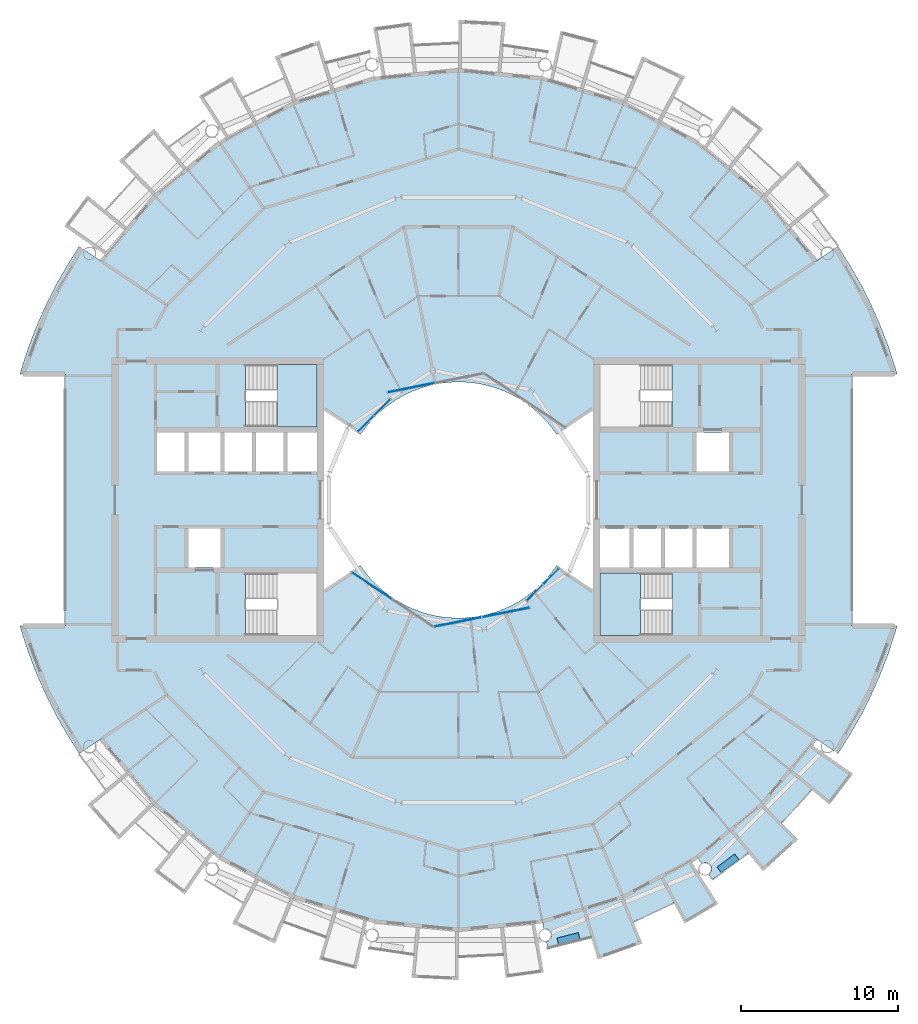
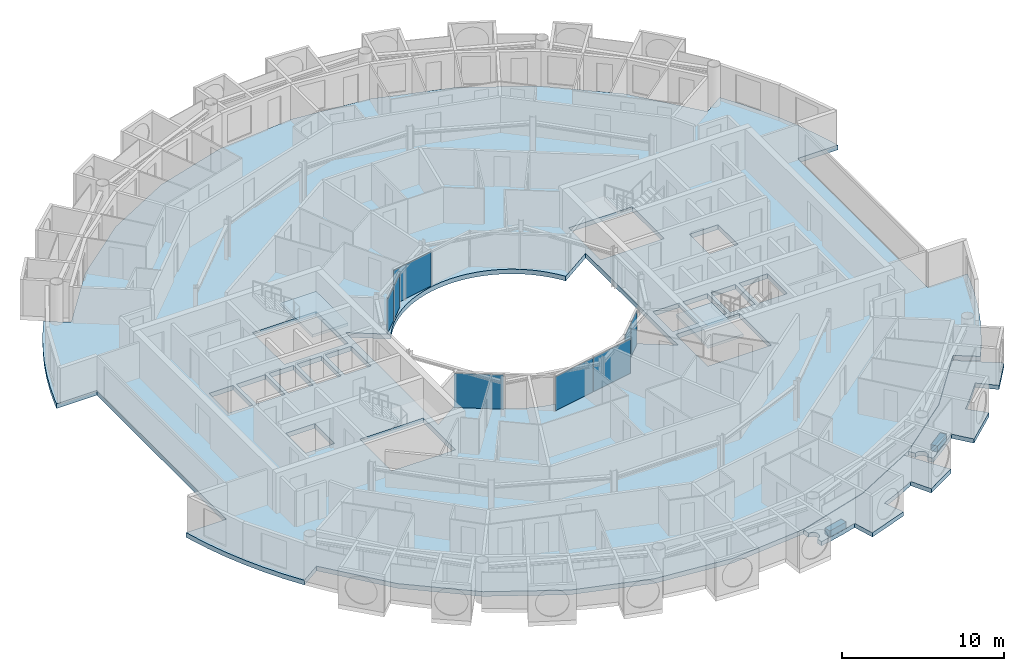
# One storey, part 12 of 28: 8 plates, 7 slabs, 7 elements without a shape of their own.
"""IFC4 building model written with IfcOpenShell, lengths in metres."""

import ifcopenshell
import ifcopenshell.guid

model = None  # the IFC model being written
_history = None  # IfcOwnerHistory: only IFC2X3 demands one
_inside = {}  # id of a spatial element -> (the spatial element, [elements in it])
_under = {}  # id of a project, library or spatial element -> (it, [spatial elements below it])
_declared = {}  # id of a project -> (the project, [libraries it declares])
_typed = {}  # id of a type object -> (the type object, [elements of that type])
_made_of = {}  # id of a material, layer set ... -> (it, [elements and type objects made of it])


def new_model(schema):
    """Start an empty IFC model of exactly this schema.

    Asked for "IFC4X3", IfcOpenShell would pick the latest addendum, in which some entities
    have other attributes; the version numbers below select the first issue.
    IFC2X3 requires an IfcOwnerHistory on every rooted entity: one is made here for all.
    """
    global model, _history
    if schema == "IFC4X3":
        model = ifcopenshell.file(schema_version=(4, 3, 0, 0))
    else:
        model = ifcopenshell.file(schema=schema)
    _inside.clear()
    _under.clear()
    _declared.clear()
    _typed.clear()
    _made_of.clear()
    _history = None
    if model.schema == "IFC2X3":
        org = make("IfcOrganization", Name="unknown")
        user = make(
            "IfcPersonAndOrganization",
            ThePerson=make("IfcPerson", FamilyName="unknown"),
            TheOrganization=org,
        )
        app = make(
            "IfcApplication",
            ApplicationDeveloper=org,
            Version="unknown",
            ApplicationFullName="unknown",
            ApplicationIdentifier="unknown",
        )
        _history = make(
            "IfcOwnerHistory",
            OwningUser=user,
            OwningApplication=app,
            ChangeAction="ADDED",
            CreationDate=0,
        )
    return model


def make(cls, **values):
    """One entity of the class cls with the attributes given. An attribute that is None is left unset."""
    return model.create_entity(
        cls, **{name: value for name, value in values.items() if value is not None}
    )


def rooted(cls, **values):
    """An entity with a GlobalId (a new one), such as an element, a storey or a relation."""
    return make(cls, GlobalId=ifcopenshell.guid.new(), OwnerHistory=_history, **values)


def si_unit(unit_type, name, prefix=None):
    """IfcSIUnit, for example si_unit("LENGTHUNIT", "METRE", prefix="MILLI")."""
    return make("IfcSIUnit", UnitType=unit_type, Prefix=prefix, Name=name)


def assignment(units):
    """IfcUnitAssignment: the units of a project."""
    return None if units is None else make("IfcUnitAssignment", Units=units)


def point(xyz):
    """IfcCartesianPoint."""
    return None if xyz is None else make("IfcCartesianPoint", Coordinates=xyz)


def direction(xyz):
    """IfcDirection."""
    return None if xyz is None else make("IfcDirection", DirectionRatios=xyz)


def frame(location, z_axis=None, x_axis=None):
    """IfcAxis2Placement3D, a coordinate frame: its origin and axes. An axis left out is left unset."""
    return make(
        "IfcAxis2Placement3D",
        Location=point(location),
        Axis=direction(z_axis),
        RefDirection=direction(x_axis),
    )


def frame_2d(location, x_axis=None):
    """IfcAxis2Placement2D, a coordinate frame in the plane: its origin and x axis."""
    return make(
        "IfcAxis2Placement2D", Location=point(location), RefDirection=direction(x_axis)
    )


def origin():
    """The frame at (0, 0, 0) with its axes left unset."""
    return frame((0.0, 0.0, 0.0))


def origin_2d():
    """The frame at (0, 0) in the plane with its x axis left unset."""
    return frame_2d((0.0, 0.0))


def place(relative_to, where):
    """IfcLocalPlacement: puts the frame where relative to a parent placement (None: the world)."""
    return make(
        "IfcLocalPlacement", PlacementRelTo=relative_to, RelativePlacement=where
    )


def context(
    kind, dimensions, precision=None, world=None, true_north=None, identifier=None
):
    """IfcGeometricRepresentationContext, for example the 3D "Model" context."""
    return make(
        "IfcGeometricRepresentationContext",
        ContextIdentifier=identifier,
        ContextType=kind,
        CoordinateSpaceDimension=dimensions,
        Precision=precision,
        WorldCoordinateSystem=world,
        TrueNorth=true_north,
    )


def subcontext(parent, identifier, kind, view, scale=None):
    """IfcGeometricRepresentationSubContext, for example "Body" below "Model"."""
    return make(
        "IfcGeometricRepresentationSubContext",
        ContextIdentifier=identifier,
        ContextType=kind,
        ParentContext=parent,
        TargetScale=scale,
        TargetView=view,
    )


def project(units=None, contexts=None):
    """IfcProject with its units and contexts."""
    return rooted(
        "IfcProject",
        Name="project",
        RepresentationContexts=contexts,
        UnitsInContext=assignment(units),
    )


def spatial(cls, under=None, at=None, **own):
    """A site, building, storey or space (cls), placed at a placement, below another one or the project."""
    s = rooted(cls, ObjectPlacement=at, **own)
    if under is not None:
        _under.setdefault(under.id(), (under, []))[1].append(s)
    return s


def polyline(points):
    """IfcPolyline through the points."""
    return make("IfcPolyline", Points=[point(p) for p in points])


def profile(cls, at=None, kind="AREA", **sizes):
    """A parametric profile (cls). Its sizes go by their IFC names, for example OverallWidth=200.0."""
    return make(cls, ProfileType=kind, Position=at, **sizes)


def rectangle(**sizes):
    """IfcRectangleProfileDef."""
    return profile("IfcRectangleProfileDef", **sizes)


def outline(outer, holes=None, kind="AREA"):
    """IfcArbitraryClosedProfileDef: a profile drawn as a closed curve; with holes, ...WithVoids."""
    if holes is None:
        return make("IfcArbitraryClosedProfileDef", ProfileType=kind, OuterCurve=outer)
    return make(
        "IfcArbitraryProfileDefWithVoids",
        ProfileType=kind,
        OuterCurve=outer,
        InnerCurves=holes,
    )


def extrude(swept, where, along, depth):
    """IfcExtrudedAreaSolid: the profile swept, set in the frame where, extruded along a direction by depth."""
    return make(
        "IfcExtrudedAreaSolid",
        SweptArea=swept,
        Position=where,
        ExtrudedDirection=direction(along),
        Depth=depth,
    )


def shape(context_of_items, identifier, shape_type, items):
    """IfcShapeRepresentation: the items that make up one representation, for example the "Body"."""
    return make(
        "IfcShapeRepresentation",
        ContextOfItems=context_of_items,
        RepresentationIdentifier=identifier,
        RepresentationType=shape_type,
        Items=items,
    )


def material(Name=None, Category=None):
    """IfcMaterial."""
    return make("IfcMaterial", Name=Name, Category=Category)


def layer(
    of_material, thickness, ventilated=None, Name=None, Category=None, Priority=None
):
    """IfcMaterialLayer: one layer of a wall or slab, of a material (None: an air gap)."""
    return make(
        "IfcMaterialLayer",
        Material=of_material,
        LayerThickness=thickness,
        IsVentilated=ventilated,
        Name=Name,
        Category=Category,
        Priority=Priority,
    )


def layer_set(layers, Name=None):
    """IfcMaterialLayerSet."""
    return make("IfcMaterialLayerSet", MaterialLayers=layers, LayerSetName=Name)


def made_of(thing, what):
    """Note that an element or type object is made of a material, layer set ...; save() writes the relation."""
    if what is not None:
        _made_of.setdefault(what.id(), (what, []))[1].append(thing)
    return thing


def type_object(cls, material=None, **own):
    """A type object (cls), such as IfcWallType, which elements share."""
    return made_of(rooted(cls, **own), material)


def element(
    cls,
    number,
    at=None,
    inside=None,
    cuts=None,
    type_object=None,
    material=None,
    context=None,
    identifier="Body",
    shape_type=None,
    held_by="IfcProductDefinitionShape",
    body=None,
    shapes=None,
    **own,
):
    """One element of the class cls, such as IfcWall. Its Tag is "e" and its number.

    at: its placement. inside: the storey or other place that contains it. cuts: it is an
    opening in that element (IfcRelVoidsElement). A single representation is given by context,
    identifier, shape_type and body (its items); several are given by shapes. held_by: the class
    of the entity that holds the representations. save() writes the other relations.
    """
    e = rooted(cls, Tag="e%d" % number, ObjectPlacement=at, **own)
    if body is not None:
        shapes = [shape(context, identifier, shape_type, body)]
    if shapes is not None:
        e.Representation = make(held_by, Representations=shapes)
    if inside is not None:
        _inside.setdefault(inside.id(), (inside, []))[1].append(e)
    if cuts is not None:
        rooted(
            "IfcRelVoidsElement", RelatingBuildingElement=cuts, RelatedOpeningElement=e
        )
    if type_object is not None:
        _typed.setdefault(type_object.id(), (type_object, []))[1].append(e)
    return made_of(e, material)


def aggregate(whole, parts):
    """IfcRelAggregates: a whole, such as a stair, and the parts it consists of."""
    return rooted("IfcRelAggregates", RelatingObject=whole, RelatedObjects=parts)


def save(model, path):
    """Write the relations noted so far, then the file.

    IfcRelAggregates (storeys below a building ...), IfcRelContainedInSpatialStructure (elements
    in a storey), IfcRelDefinesByType, IfcRelAssociatesMaterial and IfcRelDeclares: one each for
    every whole, place, type object, material and project.
    """
    for whole, parts in _under.values():
        aggregate(whole, parts)
    for where, things in _inside.values():
        rooted(
            "IfcRelContainedInSpatialStructure",
            RelatedElements=things,
            RelatingStructure=where,
        )
    for kind, things in _typed.values():
        rooted("IfcRelDefinesByType", RelatedObjects=things, RelatingType=kind)
    for what, things in _made_of.values():
        rooted("IfcRelAssociatesMaterial", RelatedObjects=things, RelatingMaterial=what)
    for by, libraries in _declared.values():
        rooted("IfcRelDeclares", RelatingContext=by, RelatedDefinitions=libraries)
    model.write(path)


model = new_model("IFC4")

# Units and contexts
model_context = context("Model", 3, precision=1e-05, world=origin(), true_north=direction((0.0, 1.0)))
body_context = subcontext(model_context, "Body", "Model", "MODEL_VIEW")
ifc_project = project(units=[si_unit("LENGTHUNIT", "METRE"), si_unit("AREAUNIT", "SQUARE_METRE"), si_unit("VOLUMEUNIT", "CUBIC_METRE"), si_unit("PLANEANGLEUNIT", "RADIAN"), si_unit("MASSUNIT", "GRAM", prefix="KILO")], contexts=[model_context])

# Site, building, storey
site_placement = place(None, origin())
site = spatial("IfcSite", under=ifc_project, at=site_placement, CompositionType="ELEMENT")
building_placement = place(site_placement, origin())
building = spatial("IfcBuilding", under=site, at=building_placement, Name="Maasbend Ring Residences", CompositionType="ELEMENT")
storey_placement = place(building_placement, frame((0.0, 0.0, 196.300048828125)))
storey = spatial("IfcBuildingStorey", under=building, at=storey_placement, Name="L56", CompositionType="ELEMENT", Elevation=196.300048828125)

# Stair, slab
ifc_material_1 = material(Name="Concrete C40/50", Category="concrete")
stair_type = type_object("IfcStairType", Name="CORE STAIR 18 RISERS", PredefinedType="HALF_TURN_STAIR", material=ifc_material_1)
stair_1_placement = place(storey_placement, origin())
stair_1 = element("IfcStair", 1, at=stair_1_placement, inside=storey, type_object=stair_type, Name="L56 Exit stair ST-E2", PredefinedType="HALF_TURN_STAIR")
ifc_material_2 = material(Name="Concrete C40/50", Category="concrete")
ifc_layer_1 = layer(ifc_material_2, 0.199951171875)
ifc_layer_set_1 = layer_set([ifc_layer_1], Name="Concrete C40/50")
slab_type_1 = type_object("IfcSlabType", Name="CORE STAIR LANDING 200", PredefinedType="LANDING", material=ifc_layer_set_1)
slab_1_placement = place(storey_placement, frame((0.0, 0.0, 1.324951171875)))
slab_1 = element("IfcSlab", 2, at=slab_1_placement, type_object=slab_type_1, Name="ST-E2 landing 1", PredefinedType="LANDING", context=body_context, shape_type="SweptSolid", body=[
    extrude(outline(polyline([(11.550048828125, -4.64990234375), (9.0, -4.64990234375), (9.0, -8.60009765625), (11.550048828125, -8.60009765625), (11.550048828125, -4.64990234375)])), origin(), (0.0, 0.0, 1.0), 0.199951171875),
])
aggregate(stair_1, [slab_1])

stair_2_placement = place(storey_placement, origin())
stair_2 = element("IfcStair", 3, at=stair_2_placement, inside=storey, type_object=stair_type, Name="L56 Exit stair ST-W2", PredefinedType="HALF_TURN_STAIR")
slab_2_placement = place(storey_placement, frame((0.0, 0.0, 1.324951171875)))
slab_2 = element("IfcSlab", 4, at=slab_2_placement, type_object=slab_type_1, Name="ST-W2 landing 1", PredefinedType="LANDING", context=body_context, shape_type="SweptSolid", body=[
    extrude(outline(polyline([(-11.550048828125, 4.64990234375), (-9.0, 4.64990234375), (-9.0, 8.60009765625), (-11.550048828125, 8.60009765625), (-11.550048828125, 4.64990234375)])), origin(), (0.0, 0.0, 1.0), 0.199951171875),
])
aggregate(stair_2, [slab_2])

# Curtain wall, plate
ifc_material_3 = material(Name="Aluminium and clear glass", Category="aluminium")
ifc_layer_2 = layer(ifc_material_3, 0.179931640625)
ifc_layer_set_2 = layer_set([ifc_layer_2], Name="CW-W")
curtain_wall_type = type_object("IfcCurtainWallType", Name="CW-W", PredefinedType="NOTDEFINED", material=ifc_layer_set_2)
curtain_wall_1_placement = place(storey_placement, origin())
curtain_wall_1 = element("IfcCurtainWall", 5, at=curtain_wall_1_placement, inside=storey, type_object=curtain_wall_type, Name="Well curtain wall N2", PredefinedType="NOTDEFINED")
ifc_material_4 = material(Name="Glass clear laminated", Category="glass")
ifc_layer_3 = layer(ifc_material_4, 0.031982421875)
ifc_layer_set_3 = layer_set([ifc_layer_3], Name="CWP-W")
plate_type = type_object("IfcPlateType", Name="CWP-W", PredefinedType="CURTAIN_PANEL", material=ifc_layer_set_3)
plate_1_placement = place(storey_placement, frame((-3.0078125, 7.140380859375, 0.0), z_axis=(0.0, 0.0, 1.0), x_axis=(-0.980785280403, -0.195090322016, 0.0)))
plate_1 = element("IfcPlate", 6, at=plate_1_placement, type_object=plate_type, Name="Glass panel well face", PredefinedType="CURTAIN_PANEL", context=body_context, shape_type="SweptSolid", body=[
    extrude(rectangle(XDim=3.053955078125, YDim=0.031982421875, at=origin_2d()), origin(), (0.0, 0.0, 1.0), 2.580078125),
])
aggregate(curtain_wall_1, [plate_1])

# Curtain wall, plates
curtain_wall_2_placement = place(storey_placement, origin())
curtain_wall_2 = element("IfcCurtainWall", 7, at=curtain_wall_2_placement, inside=storey, type_object=curtain_wall_type, Name="Well curtain wall N3", PredefinedType="NOTDEFINED")
plate_2_placement = place(storey_placement, frame((-4.84375, 5.89013671875, 0.0), z_axis=(0.0, 0.0, 1.0), x_axis=(-0.707106781187, -0.707106781187, 0.0)))
plate_2 = element("IfcPlate", 8, at=plate_2_placement, type_object=plate_type, Name="Glass panel well face", PredefinedType="CURTAIN_PANEL", context=body_context, shape_type="SweptSolid", body=[
    extrude(rectangle(XDim=1.419677734375, YDim=0.031982421875, at=origin_2d()), origin(), (0.0, 0.0, 1.0), 2.580078125),
])
plate_3_placement = place(storey_placement, frame((-5.89013671875, 4.84375, 0.0), z_axis=(0.0, 0.0, 1.0), x_axis=(-0.707106781187, -0.707106781187, 0.0)))
plate_3 = element("IfcPlate", 9, at=plate_3_placement, type_object=plate_type, Name="Glass panel well face", PredefinedType="CURTAIN_PANEL", context=body_context, shape_type="SweptSolid", body=[
    extrude(rectangle(XDim=1.419677734375, YDim=0.031982421875, at=origin_2d()), origin(), (0.0, 0.0, 1.0), 2.580078125),
])
aggregate(curtain_wall_2, [plate_2, plate_3])

# Curtain wall, plate
curtain_wall_3_placement = place(storey_placement, origin())
curtain_wall_3 = element("IfcCurtainWall", 10, at=curtain_wall_3_placement, inside=storey, type_object=curtain_wall_type, Name="Well curtain wall S1", PredefinedType="NOTDEFINED")
plate_4_placement = place(storey_placement, frame((-5.51123046875, -5.44580078125, 0.0), z_axis=(0.0, 0.0, 1.0), x_axis=(0.831469612303, -0.55557023302, 0.0)))
plate_4 = element("IfcPlate", 11, at=plate_4_placement, type_object=plate_type, Name="Glass panel well face", PredefinedType="CURTAIN_PANEL", context=body_context, shape_type="SweptSolid", body=[
    extrude(rectangle(XDim=3.053955078125, YDim=0.031982421875, at=origin_2d()), origin(), (0.0, 0.0, 1.0), 2.580078125),
])
aggregate(curtain_wall_3, [plate_4])

# Curtain wall, plates
curtain_wall_4_placement = place(storey_placement, origin())
curtain_wall_4 = element("IfcCurtainWall", 12, at=curtain_wall_4_placement, inside=storey, type_object=curtain_wall_type, Name="Well curtain wall S2", PredefinedType="NOTDEFINED")
plate_5_placement = place(storey_placement, frame((-0.04638671875, -7.747802734375, 0.0), z_axis=(0.0, 0.0, 1.0), x_axis=(0.980785280403, 0.195090322016, 0.0)))
plate_5 = element("IfcPlate", 13, at=plate_5_placement, type_object=plate_type, Name="Glass panel well face", PredefinedType="CURTAIN_PANEL", context=body_context, shape_type="SweptSolid", body=[
    extrude(rectangle(XDim=3.053955078125, YDim=0.031982421875, at=origin_2d()), origin(), (0.0, 0.0, 1.0), 2.580078125),
])
plate_6_placement = place(storey_placement, frame((3.0078125, -7.140380859375, 0.0), z_axis=(0.0, 0.0, 1.0), x_axis=(0.980785280403, 0.195090322016, 0.0)))
plate_6 = element("IfcPlate", 14, at=plate_6_placement, type_object=plate_type, Name="Glass panel well face", PredefinedType="CURTAIN_PANEL", context=body_context, shape_type="SweptSolid", body=[
    extrude(rectangle(XDim=3.053955078125, YDim=0.031982421875, at=origin_2d()), origin(), (0.0, 0.0, 1.0), 2.580078125),
])
aggregate(curtain_wall_4, [plate_5, plate_6])

curtain_wall_5_placement = place(storey_placement, origin())
curtain_wall_5 = element("IfcCurtainWall", 15, at=curtain_wall_5_placement, inside=storey, type_object=curtain_wall_type, Name="Well curtain wall S3", PredefinedType="NOTDEFINED")
plate_7_placement = place(storey_placement, frame((4.84375, -5.89013671875, 0.0), z_axis=(0.0, 0.0, 1.0), x_axis=(0.707106781187, 0.707106781187, 0.0)))
plate_7 = element("IfcPlate", 16, at=plate_7_placement, type_object=plate_type, Name="Glass panel well face", PredefinedType="CURTAIN_PANEL", context=body_context, shape_type="SweptSolid", body=[
    extrude(rectangle(XDim=1.419677734375, YDim=0.031982421875, at=origin_2d()), origin(), (0.0, 0.0, 1.0), 2.580078125),
])
plate_8_placement = place(storey_placement, frame((5.89013671875, -4.84375, 0.0), z_axis=(0.0, 0.0, 1.0), x_axis=(0.707106781187, 0.707106781187, 0.0)))
plate_8 = element("IfcPlate", 17, at=plate_8_placement, type_object=plate_type, Name="Glass panel well face", PredefinedType="CURTAIN_PANEL", context=body_context, shape_type="SweptSolid", body=[
    extrude(rectangle(XDim=1.419677734375, YDim=0.031982421875, at=origin_2d()), origin(), (0.0, 0.0, 1.0), 2.580078125),
])
aggregate(curtain_wall_5, [plate_7, plate_8])

# Slabs
ifc_material_5 = material(Name="Planting with climbing greenery")
ifc_layer_4 = layer(ifc_material_5, 0.449951171875)
ifc_layer_set_4 = layer_set([ifc_layer_4], Name="PLANTER-LG")
slab_type_2 = type_object("IfcSlabType", Name="PLANTER-LG", PredefinedType="USERDEFINED", material=ifc_layer_set_4)
slab_3_placement = place(storey_placement, frame((0.0, 0.0, -0.030029296875)))
element("IfcSlab", 18, at=slab_3_placement, inside=storey, type_object=slab_type_2, Name="Planter with climbing greenery 4", ObjectType="PLANTER", PredefinedType="USERDEFINED", context=body_context, shape_type="SweptSolid", body=[
    extrude(outline(polyline([(6.35888671875, -28.26708984375), (7.717041015625, -27.927001953125), (7.60791015625, -27.489990234375), (6.25, -27.8310546875), (6.35888671875, -28.26708984375)])), origin(), (0.0, 0.0, 1.0), 0.449951171875),
])
slab_4_placement = place(storey_placement, frame((0.0, 0.0, -0.030029296875)))
element("IfcSlab", 19, at=slab_4_placement, inside=storey, type_object=slab_type_2, Name="Planter with climbing greenery 5", ObjectType="PLANTER", PredefinedType="USERDEFINED", context=body_context, shape_type="SweptSolid", body=[
    extrude(outline(polyline([(16.69189453125, -23.681884765625), (17.81689453125, -22.847900390625), (17.549072265625, -22.487060546875), (16.424072265625, -23.321044921875), (16.69189453125, -23.681884765625)])), origin(), (0.0, 0.0, 1.0), 0.449951171875),
])
ifc_material_6 = material(Name="Concrete C40/50", Category="concrete")
ifc_layer_5 = layer(ifc_material_6, 0.35009765625)
ifc_layer_set_5 = layer_set([ifc_layer_5], Name="Concrete C40/50")
slab_type_3 = type_object("IfcSlabType", Name="Post-tensioned flat plate 350", PredefinedType="FLOOR", material=ifc_layer_set_5)
slab_5_placement = place(storey_placement, frame((0.0, 0.0, -0.35009765625)))
element("IfcSlab", 20, at=slab_5_placement, inside=storey, type_object=slab_type_3, Name="Floor slab L56", PredefinedType="FLOOR", context=body_context, shape_type="SweptSolid", body=[
    extrude(outline(polyline([(24.8740234375, -14.908935546875), (25.57568359375, -13.67041015625), (26.2158203125, -12.399169921875), (26.79248046875, -11.097900390625), (27.3046875, -9.769775390625), (27.751220703125, -8.418212890625), (27.866943359375, -8.0), (25.0, -8.0), (25.0, 8.0), (27.866943359375, 8.0), (27.751220703125, 8.418212890625), (27.3046875, 9.769775390625), (26.79248046875, 11.097900390625), (26.2158203125, 12.399169921875), (25.57568359375, 13.67041015625), (24.8740234375, 14.908935546875), (24.112548828125, 16.111572265625), (22.69921875, 15.1669921875), (19.303955078125, 19.303955078125), (15.1669921875, 22.69921875), (10.447265625, 25.221923828125), (5.325927734375, 26.775390625), (0.0, 27.300048828125), (-5.325927734375, 26.775390625), (-10.447265625, 25.221923828125), (-15.1669921875, 22.69921875), (-19.303955078125, 19.303955078125), (-22.69921875, 15.1669921875), (-24.112548828125, 16.111572265625), (-24.8740234375, 14.908935546875), (-25.57568359375, 13.67041015625), (-26.2158203125, 12.399169921875), (-26.79248046875, 11.097900390625), (-27.3046875, 9.769775390625), (-27.751220703125, 8.418212890625), (-27.866943359375, 8.0), (-25.0, 8.0), (-25.0, -8.0), (-27.866943359375, -8.0), (-27.751220703125, -8.418212890625), (-27.3046875, -9.769775390625), (-26.79248046875, -11.097900390625), (-26.2158203125, -12.399169921875), (-25.57568359375, -13.67041015625), (-24.8740234375, -14.908935546875), (-24.112548828125, -16.111572265625), (-22.69921875, -15.1669921875), (-19.303955078125, -19.303955078125), (-15.1669921875, -22.69921875), (-10.447265625, -25.221923828125), (-5.325927734375, -26.775390625), (0.0, -27.300048828125), (5.325927734375, -26.775390625), (10.447265625, -25.221923828125), (15.1669921875, -22.69921875), (19.303955078125, -19.303955078125), (22.69921875, -15.1669921875), (24.112548828125, -16.111572265625), (24.8740234375, -14.908935546875)]), holes=[polyline([(15.125, 1.824951171875), (15.125, 4.27490234375), (17.175048828125, 4.27490234375), (17.175048828125, 1.824951171875), (15.125, 1.824951171875)]), polyline([(15.125, -4.27490234375), (15.125, -1.824951171875), (17.175048828125, -1.824951171875), (17.175048828125, -4.27490234375), (15.125, -4.27490234375)]), polyline([(13.125, -4.27490234375), (13.125, -1.824951171875), (14.875, -1.824951171875), (14.875, -4.27490234375), (13.125, -4.27490234375)]), polyline([(13.550048828125, 8.60009765625), (13.550048828125, 4.64990234375), (9.0, 4.64990234375), (9.0, 8.60009765625), (13.550048828125, 8.60009765625)]), polyline([(13.550048828125, -4.64990234375), (13.550048828125, -8.60009765625), (9.0, -8.60009765625), (9.0, -4.64990234375), (13.550048828125, -4.64990234375)]), polyline([(11.125, -4.27490234375), (11.125, -1.824951171875), (12.875, -1.824951171875), (12.875, -4.27490234375), (11.125, -4.27490234375)]), polyline([(9.0, -4.27490234375), (9.0, -1.824951171875), (10.875, -1.824951171875), (10.875, -4.27490234375), (9.0, -4.27490234375)]), polyline([(6.024169921875, 4.4677734375), (6.236083984375, 4.166748046875), (8.550048828125, 5.712890625), (8.550048828125, -5.712890625), (6.236083984375, -4.166748046875), (6.024169921875, -4.4677734375), (5.797607421875, -4.7578125), (5.55712890625, -5.03662109375), (5.30322265625, -5.30322265625), (5.03662109375, -5.55712890625), (4.7578125, -5.797607421875), (4.4677734375, -6.024169921875), (4.166748046875, -6.236083984375), (3.855712890625, -6.43310546875), (3.535400390625, -6.614501953125), (3.206787109375, -6.77978515625), (2.8701171875, -6.92919921875), (2.526611328125, -7.0615234375), (2.177001953125, -7.177001953125), (1.822509765625, -7.275146484375), (1.463134765625, -7.35595703125), (1.1005859375, -7.418701171875), (0.735107421875, -7.4638671875), (0.367919921875, -7.490966796875), (0.0, -7.5), (-0.367919921875, -7.490966796875), (-0.735107421875, -7.4638671875), (-1.1005859375, -7.418701171875), (-1.463134765625, -7.35595703125), (-1.822509765625, -7.275146484375), (-2.177001953125, -7.177001953125), (-2.526611328125, -7.0615234375), (-2.8701171875, -6.92919921875), (-3.206787109375, -6.77978515625), (-3.535400390625, -6.614501953125), (-3.855712890625, -6.43310546875), (-4.166748046875, -6.236083984375), (-4.4677734375, -6.024169921875), (-4.7578125, -5.797607421875), (-5.03662109375, -5.55712890625), (-5.30322265625, -5.30322265625), (-5.55712890625, -5.03662109375), (-5.797607421875, -4.7578125), (-6.024169921875, -4.4677734375), (-6.236083984375, -4.166748046875), (-8.550048828125, -5.712890625), (-8.550048828125, 5.712890625), (-6.236083984375, 4.166748046875), (-6.024169921875, 4.4677734375), (-5.797607421875, 4.7578125), (-5.55712890625, 5.03662109375), (-5.30322265625, 5.30322265625), (-5.03662109375, 5.55712890625), (-4.7578125, 5.797607421875), (-4.4677734375, 6.024169921875), (-4.166748046875, 6.236083984375), (-3.855712890625, 6.43310546875), (-3.535400390625, 6.614501953125), (-3.206787109375, 6.77978515625), (-2.8701171875, 6.92919921875), (-2.526611328125, 7.0615234375), (-2.177001953125, 7.177001953125), (-1.822509765625, 7.275146484375), (-1.463134765625, 7.35595703125), (-1.1005859375, 7.418701171875), (-0.735107421875, 7.4638671875), (-0.367919921875, 7.490966796875), (0.0, 7.5), (0.367919921875, 7.490966796875), (0.735107421875, 7.4638671875), (1.1005859375, 7.418701171875), (1.463134765625, 7.35595703125), (1.822509765625, 7.275146484375), (2.177001953125, 7.177001953125), (2.526611328125, 7.0615234375), (2.8701171875, 6.92919921875), (3.206787109375, 6.77978515625), (3.535400390625, 6.614501953125), (3.855712890625, 6.43310546875), (4.166748046875, 6.236083984375), (4.4677734375, 6.024169921875), (4.7578125, 5.797607421875), (5.03662109375, 5.55712890625), (5.30322265625, 5.30322265625), (5.55712890625, 5.03662109375), (5.797607421875, 4.7578125), (6.024169921875, 4.4677734375)]), polyline([(-13.550048828125, 4.64990234375), (-13.550048828125, 8.60009765625), (-9.0, 8.60009765625), (-9.0, 4.64990234375), (-13.550048828125, 4.64990234375)]), polyline([(-9.0, -8.60009765625), (-13.550048828125, -8.60009765625), (-13.550048828125, -4.64990234375), (-9.0, -4.64990234375), (-9.0, -8.60009765625)]), polyline([(-9.0, 4.27490234375), (-9.0, 1.824951171875), (-10.875, 1.824951171875), (-10.875, 4.27490234375), (-9.0, 4.27490234375)]), polyline([(-11.125, 4.27490234375), (-11.125, 1.824951171875), (-12.875, 1.824951171875), (-12.875, 4.27490234375), (-11.125, 4.27490234375)]), polyline([(-13.125, 4.27490234375), (-13.125, 1.824951171875), (-14.875, 1.824951171875), (-14.875, 4.27490234375), (-13.125, 4.27490234375)]), polyline([(-15.125, 4.27490234375), (-15.125, 1.824951171875), (-17.175048828125, 1.824951171875), (-17.175048828125, 4.27490234375), (-15.125, 4.27490234375)]), polyline([(-15.125, -1.824951171875), (-15.125, -4.27490234375), (-17.175048828125, -4.27490234375), (-17.175048828125, -1.824951171875), (-15.125, -1.824951171875)]), polyline([(-17.425048828125, 4.27490234375), (-17.425048828125, 1.824951171875), (-19.14990234375, 1.824951171875), (-19.14990234375, 4.27490234375), (-17.425048828125, 4.27490234375)])]), origin(), (0.0, 0.0, 1.0), 0.35009765625),
])
ifc_material_7 = material(Name="Concrete C40/50", Category="concrete")
ifc_layer_6 = layer(ifc_material_7, 0.199951171875)
ifc_layer_set_6 = layer_set([ifc_layer_6], Name="Concrete C40/50")
slab_type_4 = type_object("IfcSlabType", Name="SL-LOGGIA", PredefinedType="FLOOR", material=ifc_layer_set_6)
slab_6_placement = place(storey_placement, frame((0.0, 0.0, -0.35009765625)))
element("IfcSlab", 21, at=slab_6_placement, inside=storey, type_object=slab_type_4, Name="Loggia floor 2", PredefinedType="FLOOR", context=body_context, shape_type="SweptSolid", body=[
    extrude(outline(polyline([(10.447021484375, -25.221923828125), (12.806884765625, -23.9609375), (14.73291015625, -22.930908203125), (14.73291015625, -22.930908203125), (14.73291015625, -22.930908203125), (16.487060546875, -25.659912109375), (16.487060546875, -25.659912109375), (16.487060546875, -25.659912109375), (14.3779296875, -26.89892578125), (14.3779296875, -26.89892578125), (14.3779296875, -26.89892578125), (13.6708984375, -25.575927734375), (13.6708984375, -25.575927734375), (13.6708984375, -25.575927734375), (13.6708984375, -25.575927734375), (13.6708984375, -25.575927734375), (13.6708984375, -25.575927734375), (13.6708984375, -25.575927734375), (13.669921875, -25.575927734375), (13.669921875, -25.575927734375), (13.669921875, -25.575927734375), (13.669921875, -25.575927734375), (13.669921875, -25.575927734375), (13.669921875, -25.575927734375), (13.669921875, -25.575927734375), (13.669921875, -25.575927734375), (13.669921875, -25.575927734375), (13.669921875, -25.575927734375), (12.825927734375, -26.009033203125), (12.825927734375, -26.009033203125), (11.968994140625, -26.4150390625), (11.968994140625, -26.4150390625), (11.097900390625, -26.7919921875), (11.097900390625, -26.7919921875), (11.097900390625, -26.7919921875), (11.097900390625, -26.7919921875), (11.097900390625, -26.7919921875), (11.097900390625, -26.7919921875), (11.097900390625, -26.7919921875), (11.097900390625, -26.79296875), (11.097900390625, -26.79296875), (11.097900390625, -26.79296875), (11.097900390625, -26.79296875), (11.097900390625, -26.79296875), (11.097900390625, -26.79296875), (11.097900390625, -26.79296875), (11.097900390625, -26.79296875), (11.097900390625, -26.79296875), (11.097900390625, -26.79296875), (11.672119140625, -28.177978515625), (11.672119140625, -28.177978515625), (11.672119140625, -28.177978515625), (8.85400390625, -29.18701171875), (8.85400390625, -29.18701171875), (8.85400390625, -29.18701171875), (8.41796875, -27.751953125), (8.41796875, -27.751953125), (8.41796875, -27.751953125), (8.41796875, -27.751953125), (8.41796875, -27.751953125), (8.41796875, -27.751953125), (8.41796875, -27.751953125), (8.41796875, -27.7509765625), (8.41796875, -27.7509765625), (8.41796875, -27.7509765625), (8.41796875, -27.7509765625), (8.41796875, -27.7509765625), (8.41796875, -27.7509765625), (8.41796875, -27.7509765625), (8.41796875, -27.7509765625), (8.41796875, -27.7509765625), (8.41796875, -27.7509765625), (7.506103515625, -28.011962890625), (7.506103515625, -28.011962890625), (6.5849609375, -28.241943359375), (6.5849609375, -28.241943359375), (5.657958984375, -28.443115234375), (5.657958984375, -28.443115234375), (5.657958984375, -28.443115234375), (5.5810546875, -28.056884765625), (5.591064453125, -28.054931640625), (5.60009765625, -28.052001953125), (5.610107421875, -28.050048828125), (5.6201171875, -28.047119140625), (5.62890625, -28.0439453125), (5.637939453125, -28.041015625), (5.64794921875, -28.037109375), (5.656982421875, -28.033935546875), (5.666015625, -28.030029296875), (5.675048828125, -28.02587890625), (5.68408203125, -28.02099609375), (5.693115234375, -28.01708984375), (5.701904296875, -28.011962890625), (5.7099609375, -28.007080078125), (5.718994140625, -28.001953125), (5.72705078125, -27.99609375), (5.736083984375, -27.989990234375), (5.743896484375, -27.985107421875), (5.751953125, -27.97900390625), (5.759033203125, -27.971923828125), (5.76708984375, -27.966064453125), (5.77392578125, -27.958984375), (5.781982421875, -27.952880859375), (5.7890625, -27.946044921875), (5.7958984375, -27.93798828125), (5.802978515625, -27.930908203125), (5.80908203125, -27.924072265625), (5.81591796875, -27.916015625), (5.822021484375, -27.907958984375), (5.827880859375, -27.89990234375), (5.833984375, -27.89208984375), (5.839111328125, -27.884033203125), (5.844970703125, -27.8759765625), (5.85009765625, -27.866943359375), (5.85498046875, -27.85791015625), (5.860107421875, -27.85009765625), (5.864990234375, -27.841064453125), (5.868896484375, -27.83203125), (5.873046875, -27.822998046875), (5.876953125, -27.81396484375), (5.881103515625, -27.803955078125), (5.884033203125, -27.794921875), (5.886962890625, -27.785888671875), (5.889892578125, -27.77587890625), (5.89306640625, -27.76708984375), (5.89599609375, -27.757080078125), (5.89794921875, -27.7470703125), (5.89990234375, -27.737060546875), (5.902099609375, -27.72802734375), (5.904052734375, -27.718017578125), (5.905029296875, -27.7080078125), (5.906005859375, -27.697998046875), (5.906982421875, -27.68798828125), (5.907958984375, -27.677978515625), (5.907958984375, -27.66796875), (5.907958984375, -27.657958984375), (5.907958984375, -27.64794921875), (5.907958984375, -27.637939453125), (5.906982421875, -27.6279296875), (5.906005859375, -27.617919921875), (5.905029296875, -27.60791015625), (5.904052734375, -27.597900390625), (5.902099609375, -27.589111328125), (5.89990234375, -27.5791015625), (5.89794921875, -27.569091796875), (5.89599609375, -27.55908203125), (5.89306640625, -27.550048828125), (5.889892578125, -27.5400390625), (5.886962890625, -27.531005859375), (5.884033203125, -27.52099609375), (5.881103515625, -27.511962890625), (5.876953125, -27.5029296875), (5.873046875, -27.492919921875), (5.868896484375, -27.48388671875), (5.864990234375, -27.47509765625), (5.860107421875, -27.466064453125), (5.85498046875, -27.4580078125), (5.85009765625, -27.448974609375), (5.844970703125, -27.44091796875), (5.839111328125, -27.431884765625), (5.833984375, -27.424072265625), (5.827880859375, -27.416015625), (5.822021484375, -27.407958984375), (5.81591796875, -27.39990234375), (5.80908203125, -27.39306640625), (5.802978515625, -27.385009765625), (5.7958984375, -27.3779296875), (5.7890625, -27.37109375), (5.781982421875, -27.364013671875), (5.77392578125, -27.35693359375), (5.76708984375, -27.35009765625), (5.759033203125, -27.343994140625), (5.751953125, -27.337890625), (5.743896484375, -27.33203125), (5.736083984375, -27.325927734375), (5.72705078125, -27.320068359375), (5.718994140625, -27.31494140625), (5.7099609375, -27.30908203125), (5.701904296875, -27.303955078125), (5.693115234375, -27.300048828125), (5.68408203125, -27.294921875), (5.675048828125, -27.291015625), (5.666015625, -27.285888671875), (5.656982421875, -27.282958984375), (5.64794921875, -27.279052734375), (5.637939453125, -27.27490234375), (5.62890625, -27.27197265625), (5.6201171875, -27.26904296875), (5.610107421875, -27.26611328125), (5.60009765625, -27.263916015625), (5.591064453125, -27.260986328125), (5.5810546875, -27.259033203125), (5.571044921875, -27.258056640625), (5.56103515625, -27.256103515625), (5.551025390625, -27.2548828125), (5.541015625, -27.25390625), (5.531005859375, -27.2529296875), (5.52099609375, -27.251953125), (5.510986328125, -27.251953125), (5.501953125, -27.251953125), (5.491943359375, -27.251953125), (5.48193359375, -27.251953125), (5.471923828125, -27.2529296875), (5.4619140625, -27.25390625), (5.451904296875, -27.2548828125), (5.44189453125, -27.256103515625), (5.431884765625, -27.258056640625), (5.422119140625, -27.259033203125), (5.325927734375, -26.77490234375), (5.325927734375, -26.77490234375), (5.325927734375, -26.77490234375), (7.886962890625, -25.9990234375), (10.447021484375, -25.221923828125), (10.447021484375, -25.221923828125), (10.447021484375, -25.221923828125)])), origin(), (0.0, 0.0, 1.0), 0.320068359375),
])
slab_7_placement = place(storey_placement, frame((0.0, 0.0, -0.35009765625)))
element("IfcSlab", 22, at=slab_7_placement, inside=storey, type_object=slab_type_4, Name="Loggia floor 5", PredefinedType="FLOOR", context=body_context, shape_type="SweptSolid", body=[
    extrude(outline(polyline([(19.303955078125, -19.303955078125), (21.001953125, -17.236083984375), (22.386962890625, -15.547119140625), (22.386962890625, -15.547119140625), (22.386962890625, -15.547119140625), (25.051025390625, -17.39794921875), (25.051025390625, -17.39794921875), (25.051025390625, -17.39794921875), (23.576904296875, -19.34912109375), (23.576904296875, -19.34912109375), (23.576904296875, -19.34912109375), (22.41796875, -18.39794921875), (22.41796875, -18.39794921875), (22.41796875, -18.39794921875), (22.41796875, -18.39794921875), (22.41796875, -18.39794921875), (22.4169921875, -18.39794921875), (22.4169921875, -18.39794921875), (22.4169921875, -18.39794921875), (22.4169921875, -18.39794921875), (22.4169921875, -18.39794921875), (22.4169921875, -18.39794921875), (22.4169921875, -18.39794921875), (22.4169921875, -18.39794921875), (22.4169921875, -18.39794921875), (22.4169921875, -18.39794921875), (22.4169921875, -18.39794921875), (22.4169921875, -18.39794921875), (21.802978515625, -19.12109375), (21.802978515625, -19.12109375), (21.166015625, -19.823974609375), (21.166015625, -19.823974609375), (20.506103515625, -20.506103515625), (20.506103515625, -20.506103515625), (20.506103515625, -20.506103515625), (20.506103515625, -20.506103515625), (20.506103515625, -20.506103515625), (20.506103515625, -20.506103515625), (20.506103515625, -20.506103515625), (20.506103515625, -20.506103515625), (20.506103515625, -20.506103515625), (20.506103515625, -20.506103515625), (20.506103515625, -20.506103515625), (20.506103515625, -20.506103515625), (20.506103515625, -20.506103515625), (20.506103515625, -20.506103515625), (20.506103515625, -20.506103515625), (20.506103515625, -20.506103515625), (20.506103515625, -20.506103515625), (21.56689453125, -21.56689453125), (21.56689453125, -21.56689453125), (21.56689453125, -21.56689453125), (19.34912109375, -23.576904296875), (19.34912109375, -23.576904296875), (19.34912109375, -23.576904296875), (18.39794921875, -22.41796875), (18.39794921875, -22.41796875), (18.39794921875, -22.41796875), (18.39794921875, -22.41796875), (18.39794921875, -22.41796875), (18.39794921875, -22.41796875), (18.39697265625, -22.41796875), (18.39697265625, -22.41796875), (18.39697265625, -22.41796875), (18.39697265625, -22.41796875), (18.39697265625, -22.41796875), (18.39697265625, -22.41796875), (18.39697265625, -22.41796875), (18.39697265625, -22.41796875), (18.39697265625, -22.41796875), (18.39697265625, -22.41796875), (18.39697265625, -22.41796875), (17.654052734375, -23.007080078125), (17.654052734375, -23.007080078125), (16.89208984375, -23.572998046875), (16.89208984375, -23.572998046875), (16.112060546875, -24.113037109375), (16.112060546875, -24.113037109375), (16.112060546875, -24.113037109375), (15.89306640625, -23.784912109375), (15.89306640625, -23.784912109375), (15.90087890625, -23.780029296875), (15.908935546875, -23.77392578125), (15.9169921875, -23.76806640625), (15.925048828125, -23.761962890625), (15.93310546875, -23.7548828125), (15.93994140625, -23.7490234375), (15.947021484375, -23.741943359375), (15.955078125, -23.735107421875), (15.9619140625, -23.72802734375), (15.968017578125, -23.719970703125), (15.97509765625, -23.712890625), (15.98095703125, -23.705078125), (15.988037109375, -23.697021484375), (15.993896484375, -23.68994140625), (15.9990234375, -23.680908203125), (16.0048828125, -23.673095703125), (16.010986328125, -23.6650390625), (16.01611328125, -23.656005859375), (16.02099609375, -23.64794921875), (16.02587890625, -23.638916015625), (16.030029296875, -23.6298828125), (16.034912109375, -23.62109375), (16.0390625, -23.612060546875), (16.04296875, -23.60302734375), (16.0458984375, -23.593994140625), (16.050048828125, -23.583984375), (16.052978515625, -23.574951171875), (16.055908203125, -23.56494140625), (16.05908203125, -23.555908203125), (16.06103515625, -23.5458984375), (16.06396484375, -23.535888671875), (16.06591796875, -23.527099609375), (16.068115234375, -23.51708984375), (16.069091796875, -23.507080078125), (16.071044921875, -23.4970703125), (16.072021484375, -23.487060546875), (16.072021484375, -23.47705078125), (16.072998046875, -23.467041015625), (16.072998046875, -23.45703125), (16.073974609375, -23.447021484375), (16.072998046875, -23.43701171875), (16.072998046875, -23.427001953125), (16.072021484375, -23.4169921875), (16.072021484375, -23.407958984375), (16.071044921875, -23.39794921875), (16.069091796875, -23.387939453125), (16.068115234375, -23.3779296875), (16.06591796875, -23.367919921875), (16.06396484375, -23.35791015625), (16.06103515625, -23.34912109375), (16.05908203125, -23.339111328125), (16.055908203125, -23.3291015625), (16.052978515625, -23.320068359375), (16.050048828125, -23.31005859375), (16.0458984375, -23.301025390625), (16.04296875, -23.2919921875), (16.0390625, -23.282958984375), (16.034912109375, -23.27392578125), (16.030029296875, -23.264892578125), (16.02587890625, -23.256103515625), (16.02099609375, -23.2470703125), (16.01611328125, -23.238037109375), (16.010986328125, -23.22998046875), (16.0048828125, -23.221923828125), (15.9990234375, -23.212890625), (15.993896484375, -23.205078125), (15.988037109375, -23.197021484375), (15.98095703125, -23.18994140625), (15.97509765625, -23.181884765625), (15.968017578125, -23.174072265625), (15.9619140625, -23.1669921875), (15.955078125, -23.159912109375), (15.947021484375, -23.153076171875), (15.93994140625, -23.14599609375), (15.93310546875, -23.139892578125), (15.925048828125, -23.133056640625), (15.9169921875, -23.126953125), (15.908935546875, -23.12109375), (15.90087890625, -23.114990234375), (15.89306640625, -23.10888671875), (15.885009765625, -23.10400390625), (15.8759765625, -23.09912109375), (15.866943359375, -23.093994140625), (15.85888671875, -23.089111328125), (15.85009765625, -23.083984375), (15.841064453125, -23.080078125), (15.83203125, -23.075927734375), (15.822998046875, -23.072021484375), (15.81298828125, -23.068115234375), (15.803955078125, -23.06494140625), (15.794921875, -23.06103515625), (15.784912109375, -23.05810546875), (15.77587890625, -23.055908203125), (15.76611328125, -23.052978515625), (15.756103515625, -23.051025390625), (15.74609375, -23.049072265625), (15.737060546875, -23.047119140625), (15.72705078125, -23.044921875), (15.717041015625, -23.0439453125), (15.70703125, -23.04296875), (15.697021484375, -23.0419921875), (15.68701171875, -23.041015625), (15.677001953125, -23.041015625), (15.6669921875, -23.041015625), (15.656982421875, -23.041015625), (15.64697265625, -23.041015625), (15.636962890625, -23.0419921875), (15.626953125, -23.04296875), (15.616943359375, -23.0439453125), (15.60693359375, -23.044921875), (15.597900390625, -23.047119140625), (15.587890625, -23.049072265625), (15.577880859375, -23.051025390625), (15.568115234375, -23.052978515625), (15.55908203125, -23.055908203125), (15.549072265625, -23.05810546875), (15.5400390625, -23.06103515625), (15.530029296875, -23.06494140625), (15.52099609375, -23.068115234375), (15.511962890625, -23.072021484375), (15.501953125, -23.075927734375), (15.492919921875, -23.080078125), (15.48388671875, -23.083984375), (15.47509765625, -23.089111328125), (15.467041015625, -23.093994140625), (15.4580078125, -23.09912109375), (15.449951171875, -23.10400390625), (15.44091796875, -23.10888671875), (15.44091796875, -23.10888671875), (15.1669921875, -22.698974609375), (15.1669921875, -22.698974609375), (15.1669921875, -22.698974609375), (17.236083984375, -21.001953125), (19.303955078125, -19.303955078125), (19.303955078125, -19.303955078125), (19.303955078125, -19.303955078125)])), origin(), (0.0, 0.0, 1.0), 0.320068359375),
])

save(model, "model.ifc")
